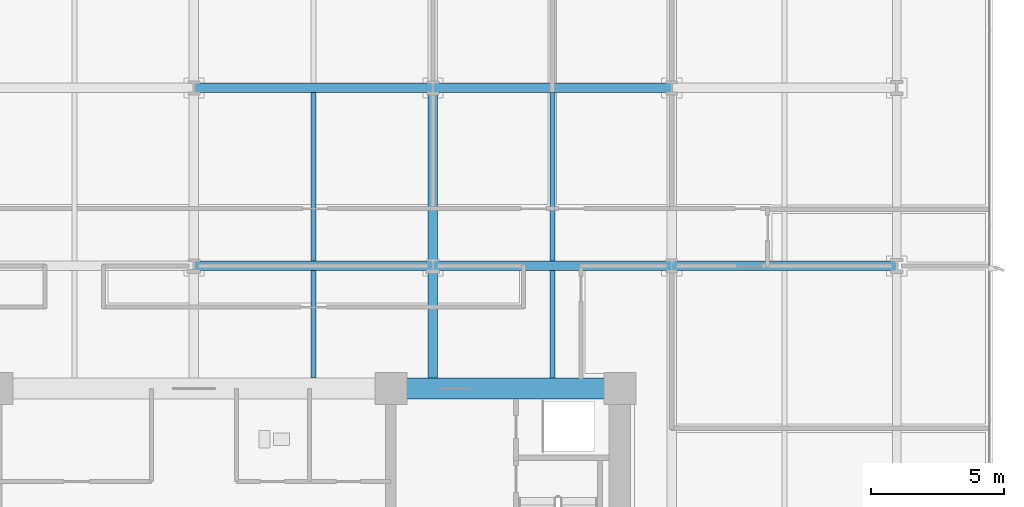
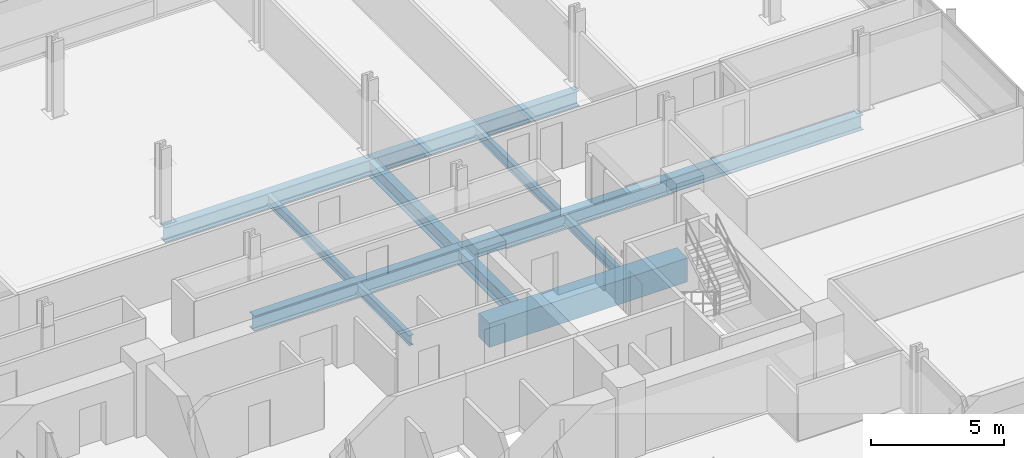
# One storey, part 7 of 21: 12 beams.
"""IFC4 building model written with IfcOpenShell, lengths in metres."""

from ifc_helpers import new_model, si_unit, direction, frame, origin, origin_2d, place, context, subcontext, project, spatial, rectangle, i_section, extrude, material, material_profile, profile_set, type_object, element, save


model = new_model("IFC4")

# Units and contexts
model_context = context("Model", 3, precision=1e-05, world=origin(), true_north=direction((0.0, 1.0)))
body_context = subcontext(model_context, "Body", "Model", "MODEL_VIEW")
ifc_project = project(units=[si_unit("LENGTHUNIT", "METRE"), si_unit("AREAUNIT", "SQUARE_METRE"), si_unit("VOLUMEUNIT", "CUBIC_METRE"), si_unit("PLANEANGLEUNIT", "RADIAN"), si_unit("MASSUNIT", "GRAM", prefix="KILO")], contexts=[model_context])

# Site, building, storey
site_placement = place(None, origin())
site = spatial("IfcSite", under=ifc_project, at=site_placement, CompositionType="ELEMENT")
building_placement = place(site_placement, origin())
building = spatial("IfcBuilding", under=site, at=building_placement, Name="Solmavex Isthmus Hotel", CompositionType="ELEMENT")
storey_placement = place(building_placement, frame((0.0, 0.0, 54.0)))
storey = spatial("IfcBuildingStorey", under=building, at=storey_placement, Name="L14", CompositionType="ELEMENT", Elevation=54.0)

# Beams
ifc_material_1 = material(Name="Steel ASTM A992 Grade 50", Category="steel")
ifc_material_profile_1 = material_profile(ifc_material_1, i_section(OverallWidth=0.354736328125, OverallDepth=0.695556640625, WebThickness=0.015380859375, FlangeThickness=0.02490234375, FilletRadius=0.017822265625, at=origin_2d()), Name="W27X146")
ifc_profile_set_1 = profile_set([ifc_material_profile_1], Name="Steel ASTM A992 Grade 50")
beam_type_1 = type_object("IfcBeamType", Name="BM-BG-W27X146", PredefinedType="BEAM", material=ifc_profile_set_1)
beam_1_placement = place(storey_placement, frame((0.0, 2.10009765625, -0.607666015625), z_axis=(1.0, 0.0, 0.0), x_axis=(0.0, 1.0, 0.0)))
element("IfcBeam", 1, at=beam_1_placement, inside=storey, type_object=beam_type_1, Name="Floor Girder L14-UG10", PredefinedType="BEAM", context=body_context, shape_type="SweptSolid", body=[
    extrude(i_section(OverallWidth=0.354736328125, OverallDepth=0.695556640625, WebThickness=0.015380859375, FlangeThickness=0.02490234375, FilletRadius=0.017822265625, at=origin_2d()), origin(), (0.0, 0.0, 1.0), 8.97607421875),
])
beam_2_placement = place(storey_placement, frame((8.97607421875, 2.10009765625, -0.607666015625), z_axis=(1.0, 0.0, 0.0), x_axis=(0.0, 1.0, 0.0)))
element("IfcBeam", 2, at=beam_2_placement, inside=storey, type_object=beam_type_1, Name="Floor Girder L14-UG11", PredefinedType="BEAM", context=body_context, shape_type="SweptSolid", body=[
    extrude(i_section(OverallWidth=0.354736328125, OverallDepth=0.695556640625, WebThickness=0.015380859375, FlangeThickness=0.02490234375, FilletRadius=0.017822265625, at=origin_2d()), origin(), (0.0, 0.0, 1.0), 8.975830078125),
])
beam_3_placement = place(storey_placement, frame((17.951904296875, 2.10009765625, -0.607666015625), z_axis=(1.0, 0.0, 0.0), x_axis=(0.0, 1.0, 0.0)))
element("IfcBeam", 3, at=beam_3_placement, inside=storey, type_object=beam_type_1, Name="Floor Girder L14-UG12", PredefinedType="BEAM", context=body_context, shape_type="SweptSolid", body=[
    extrude(i_section(OverallWidth=0.354736328125, OverallDepth=0.695556640625, WebThickness=0.015380859375, FlangeThickness=0.02490234375, FilletRadius=0.017822265625, at=origin_2d()), origin(), (0.0, 0.0, 1.0), 8.447998046875),
])
beam_4_placement = place(storey_placement, frame((0.0, 8.7880859375, -0.607666015625), z_axis=(1.0, 0.0, 0.0), x_axis=(0.0, 1.0, 0.0)))
element("IfcBeam", 4, at=beam_4_placement, inside=storey, type_object=beam_type_1, Name="Floor Girder L14-UG16", PredefinedType="BEAM", context=body_context, shape_type="SweptSolid", body=[
    extrude(i_section(OverallWidth=0.354736328125, OverallDepth=0.695556640625, WebThickness=0.015380859375, FlangeThickness=0.02490234375, FilletRadius=0.017822265625, at=origin_2d()), origin(), (0.0, 0.0, 1.0), 8.97607421875),
])
beam_5_placement = place(storey_placement, frame((8.97607421875, 8.7880859375, -0.607666015625), z_axis=(1.0, 0.0, 0.0), x_axis=(0.0, 1.0, 0.0)))
element("IfcBeam", 5, at=beam_5_placement, inside=storey, type_object=beam_type_1, Name="Floor Girder L14-UG17", PredefinedType="BEAM", context=body_context, shape_type="SweptSolid", body=[
    extrude(i_section(OverallWidth=0.354736328125, OverallDepth=0.695556640625, WebThickness=0.015380859375, FlangeThickness=0.02490234375, FilletRadius=0.017822265625, at=origin_2d()), origin(), (0.0, 0.0, 1.0), 8.975830078125),
])
beam_6_placement = place(storey_placement, frame((8.97607421875, -2.10009765625, -0.607666015625), z_axis=(0.0, 1.0, 0.0), x_axis=(-1.0, 0.0, 0.0)))
element("IfcBeam", 6, at=beam_6_placement, inside=storey, type_object=beam_type_1, Name="Floor Beam L14-VG40", PredefinedType="BEAM", context=body_context, shape_type="SweptSolid", body=[
    extrude(i_section(OverallWidth=0.354736328125, OverallDepth=0.695556640625, WebThickness=0.015380859375, FlangeThickness=0.02490234375, FilletRadius=0.017822265625, at=origin_2d()), origin(), (0.0, 0.0, 1.0), 4.022705078125),
])
beam_7_placement = place(storey_placement, frame((8.97607421875, 2.27734375, -0.607666015625), z_axis=(0.0, 1.0, 0.0), x_axis=(-1.0, 0.0, 0.0)))
element("IfcBeam", 7, at=beam_7_placement, inside=storey, type_object=beam_type_1, Name="Floor Beam L14-VG41", PredefinedType="BEAM", context=body_context, shape_type="SweptSolid", body=[
    extrude(i_section(OverallWidth=0.354736328125, OverallDepth=0.695556640625, WebThickness=0.015380859375, FlangeThickness=0.02490234375, FilletRadius=0.017822265625, at=origin_2d()), origin(), (0.0, 0.0, 1.0), 6.333251953125),
])
ifc_material_profile_2 = material_profile(ifc_material_1, i_section(OverallWidth=0.1904296875, OverallDepth=0.456787109375, WebThickness=0.009033203125, FlangeThickness=0.014404296875, FilletRadius=0.0126953125, at=origin_2d()), Name="W18X50")
ifc_profile_set_2 = profile_set([ifc_material_profile_2], Name="Steel ASTM A992 Grade 50")
beam_type_2 = type_object("IfcBeamType", Name="BM-BJ-W18X50", PredefinedType="JOIST", material=ifc_profile_set_2)
beam_8_placement = place(storey_placement, frame((4.488037109375, -2.10009765625, -0.488525390625), z_axis=(0.0, 1.0, 0.0), x_axis=(-1.0, 0.0, 0.0)))
element("IfcBeam", 8, at=beam_8_placement, inside=storey, type_object=beam_type_2, Name="Secondary Floor Joist L14-J13", PredefinedType="JOIST", context=body_context, shape_type="SweptSolid", body=[
    extrude(i_section(OverallWidth=0.1904296875, OverallDepth=0.456787109375, WebThickness=0.009033203125, FlangeThickness=0.014404296875, FilletRadius=0.0126953125, at=origin_2d()), origin(), (0.0, 0.0, 1.0), 4.022705078125),
])
beam_9_placement = place(storey_placement, frame((4.488037109375, 2.27734375, -0.488525390625), z_axis=(0.0, 1.0, 0.0), x_axis=(-1.0, 0.0, 0.0)))
element("IfcBeam", 9, at=beam_9_placement, inside=storey, type_object=beam_type_2, Name="Secondary Floor Joist L14-J14", PredefinedType="JOIST", context=body_context, shape_type="SweptSolid", body=[
    extrude(i_section(OverallWidth=0.1904296875, OverallDepth=0.456787109375, WebThickness=0.009033203125, FlangeThickness=0.014404296875, FilletRadius=0.0126953125, at=origin_2d()), origin(), (0.0, 0.0, 1.0), 6.333251953125),
])
beam_10_placement = place(storey_placement, frame((13.464111328125, -2.10009765625, -0.488525390625), z_axis=(0.0, 1.0, 0.0), x_axis=(-1.0, 0.0, 0.0)))
element("IfcBeam", 10, at=beam_10_placement, inside=storey, type_object=beam_type_2, Name="Secondary Floor Joist L14-J17", PredefinedType="JOIST", context=body_context, shape_type="SweptSolid", body=[
    extrude(i_section(OverallWidth=0.1904296875, OverallDepth=0.456787109375, WebThickness=0.009033203125, FlangeThickness=0.014404296875, FilletRadius=0.0126953125, at=origin_2d()), origin(), (0.0, 0.0, 1.0), 4.022705078125),
])
beam_11_placement = place(storey_placement, frame((13.464111328125, 2.27734375, -0.488525390625), z_axis=(0.0, 1.0, 0.0), x_axis=(-1.0, 0.0, 0.0)))
element("IfcBeam", 11, at=beam_11_placement, inside=storey, type_object=beam_type_2, Name="Secondary Floor Joist L14-J18", PredefinedType="JOIST", context=body_context, shape_type="SweptSolid", body=[
    extrude(i_section(OverallWidth=0.1904296875, OverallDepth=0.456787109375, WebThickness=0.009033203125, FlangeThickness=0.014404296875, FilletRadius=0.0126953125, at=origin_2d()), origin(), (0.0, 0.0, 1.0), 6.333251953125),
])
ifc_material_2 = material(Name="Concrete C70/85", Category="concrete")
ifc_material_profile_3 = material_profile(ifc_material_2, rectangle(XDim=0.800048828125, YDim=1.10009765625, at=origin_2d()), Name="RC800X1100")
ifc_profile_set_3 = profile_set([ifc_material_profile_3], Name="Concrete C70/85")
beam_type_3 = type_object("IfcBeamType", Name="BM-CB-800X1100", PredefinedType="BEAM", material=ifc_profile_set_3)
beam_12_placement = place(storey_placement, frame((7.39990234375, -2.5, -0.81005859375), z_axis=(1.0, 0.0, 0.0), x_axis=(0.0, 1.0, 0.0)))
element("IfcBeam", 12, at=beam_12_placement, inside=storey, type_object=beam_type_3, Name="Core Coupling Beam L14-CB6", PredefinedType="BEAM", context=body_context, shape_type="SweptSolid", body=[
    extrude(rectangle(XDim=0.800048828125, YDim=1.10009765625, at=origin_2d()), origin(), (0.0, 0.0, 1.0), 8.60009765625),
])

save(model, "model.ifc")
